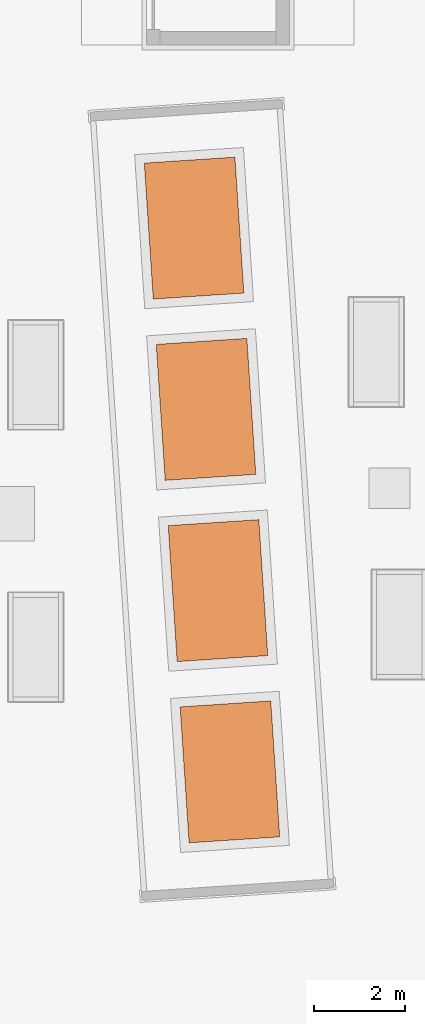
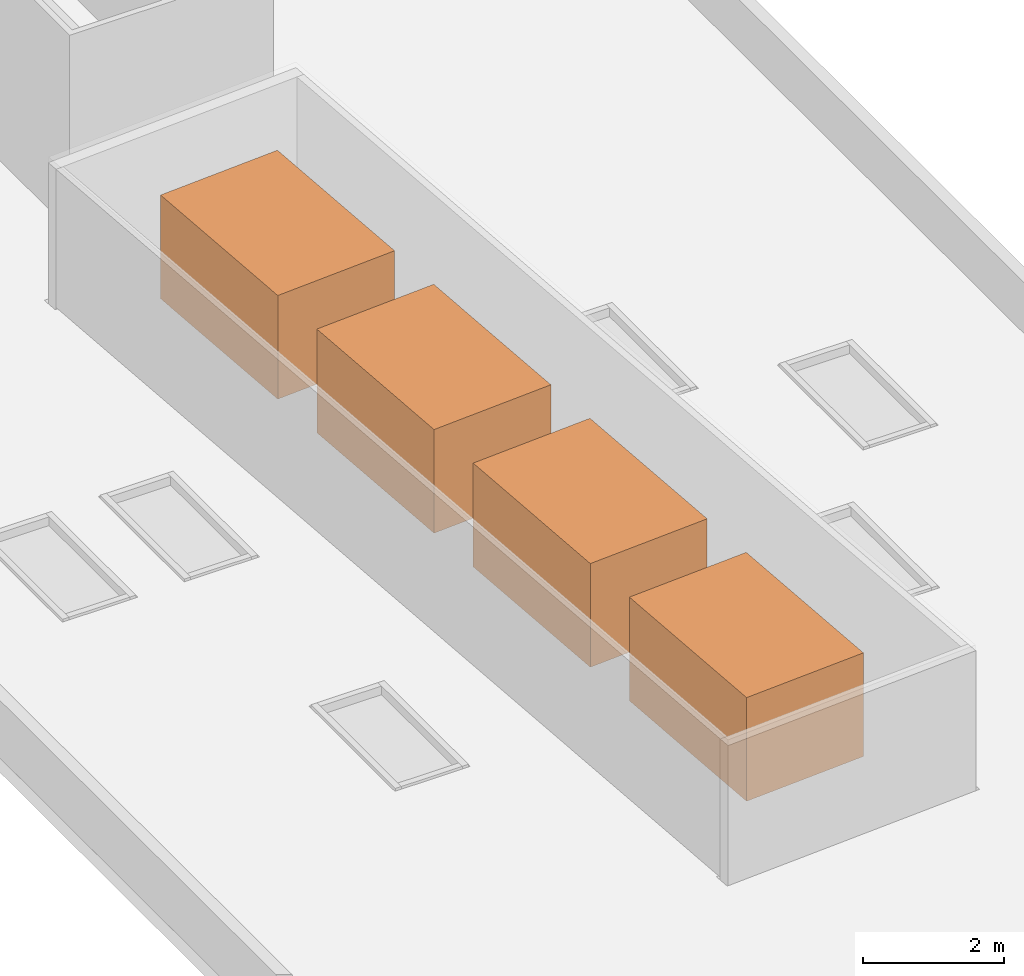
# One storey, part 13 of 13: 4 proxies.
"""IFC4 building model written with IfcOpenShell, lengths in metres."""

from ifc_helpers import new_model, si_unit, direction, frame, origin, origin_2d, place, context, subcontext, project, spatial, rectangle, extrude, material, type_object, element, save


model = new_model("IFC4")

# Units and contexts
model_context = context("Model", 3, precision=1e-05, world=origin(), true_north=direction((0.0, 1.0)))
body_context = subcontext(model_context, "Body", "Model", "MODEL_VIEW")
ifc_project = project(units=[si_unit("LENGTHUNIT", "METRE"), si_unit("AREAUNIT", "SQUARE_METRE"), si_unit("VOLUMEUNIT", "CUBIC_METRE"), si_unit("PLANEANGLEUNIT", "RADIAN"), si_unit("MASSUNIT", "GRAM", prefix="KILO")], contexts=[model_context])

# Site, building, storey
site_placement = place(None, origin())
site = spatial("IfcSite", under=ifc_project, at=site_placement, CompositionType="ELEMENT")
building_placement = place(site_placement, origin())
building = spatial("IfcBuilding", under=site, at=building_placement, Name="Plateau Cross Towers", CompositionType="ELEMENT")
storey_placement = place(building_placement, frame((0.0, 0.0, 229.39990234375)))
storey = spatial("IfcBuildingStorey", under=building, at=storey_placement, Name="L60", CompositionType="ELEMENT", Elevation=229.39990234375)

# Proxies
ifc_material = material(Name="Galvanised steel casing", Category="steel")
building_element_proxy_type_1 = type_object("IfcBuildingElementProxyType", Name="Air handling unit 3000x2000x1800", PredefinedType="USERDEFINED", material=ifc_material)
proxy_1_placement = place(storey_placement, frame((8.474365234375, 40.973388671875, 0.419921875), z_axis=(0.0, 0.0, 1.0), x_axis=(0.065780475363, -0.99783411901, 0.0)))
element("IfcBuildingElementProxy", 1, at=proxy_1_placement, inside=storey, type_object=building_element_proxy_type_1, Name="Air handling unit 1", ObjectType="AIR HANDLING UNIT", PredefinedType="USERDEFINED", context=body_context, shape_type="SweptSolid", body=[
    extrude(rectangle(XDim=3.0, YDim=2.0, at=origin_2d()), origin(), (0.0, 0.0, 1.0), 1.800048828125),
])
building_element_proxy_type_2 = type_object("IfcBuildingElementProxyType", Name="Chiller 3000x2000x1800", PredefinedType="USERDEFINED", material=ifc_material)
proxy_2_placement = place(storey_placement, frame((8.737548828125, 36.98193359375, 0.419921875), z_axis=(0.0, 0.0, 1.0), x_axis=(0.065780475363, -0.99783411901, 0.0)))
element("IfcBuildingElementProxy", 2, at=proxy_2_placement, inside=storey, type_object=building_element_proxy_type_2, Name="Chiller 2", ObjectType="CHILLER", PredefinedType="USERDEFINED", context=body_context, shape_type="SweptSolid", body=[
    extrude(rectangle(XDim=3.0, YDim=2.0, at=origin_2d()), origin(), (0.0, 0.0, 1.0), 1.800048828125),
])
building_element_proxy_type_3 = type_object("IfcBuildingElementProxyType", Name="Cooling tower 3000x2000x1800", PredefinedType="USERDEFINED", material=ifc_material)
proxy_3_placement = place(storey_placement, frame((9.000732421875, 32.99072265625, 0.419921875), z_axis=(0.0, 0.0, 1.0), x_axis=(0.065780475363, -0.99783411901, 0.0)))
element("IfcBuildingElementProxy", 3, at=proxy_3_placement, inside=storey, type_object=building_element_proxy_type_3, Name="Cooling tower 3", ObjectType="COOLING TOWER", PredefinedType="USERDEFINED", context=body_context, shape_type="SweptSolid", body=[
    extrude(rectangle(XDim=3.0, YDim=2.0, at=origin_2d()), origin(), (0.0, 0.0, 1.0), 1.800048828125),
])
building_element_proxy_type_4 = type_object("IfcBuildingElementProxyType", Name="Smoke extract fan 3000x2000x1800", PredefinedType="USERDEFINED", material=ifc_material)
proxy_4_placement = place(storey_placement, frame((9.263671875, 28.999267578125, 0.419921875), z_axis=(0.0, 0.0, 1.0), x_axis=(0.065780475363, -0.99783411901, 0.0)))
element("IfcBuildingElementProxy", 4, at=proxy_4_placement, inside=storey, type_object=building_element_proxy_type_4, Name="Smoke extract fan 4", ObjectType="SMOKE EXTRACT FAN", PredefinedType="USERDEFINED", context=body_context, shape_type="SweptSolid", body=[
    extrude(rectangle(XDim=3.0, YDim=2.0, at=origin_2d()), origin(), (0.0, 0.0, 1.0), 1.800048828125),
])

save(model, "model.ifc")
